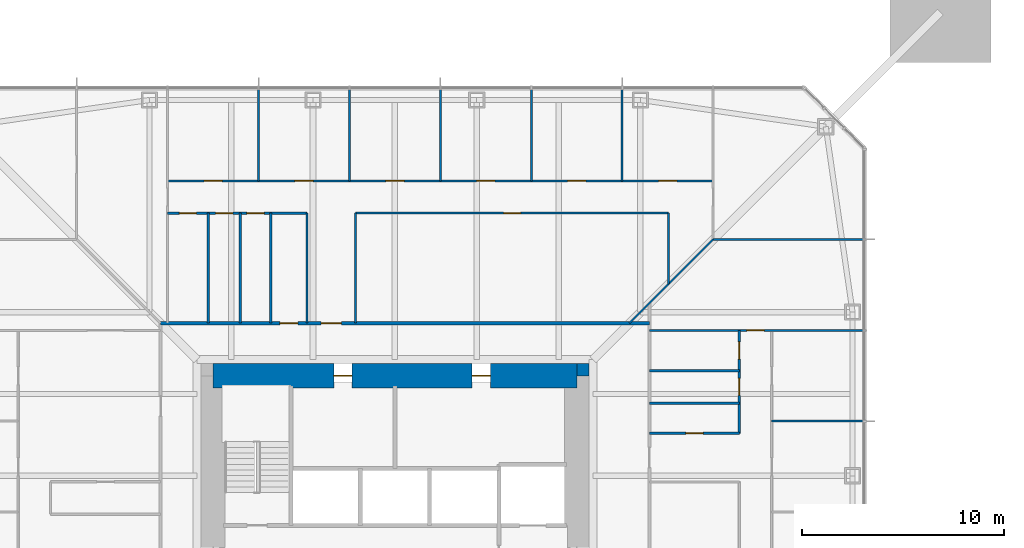
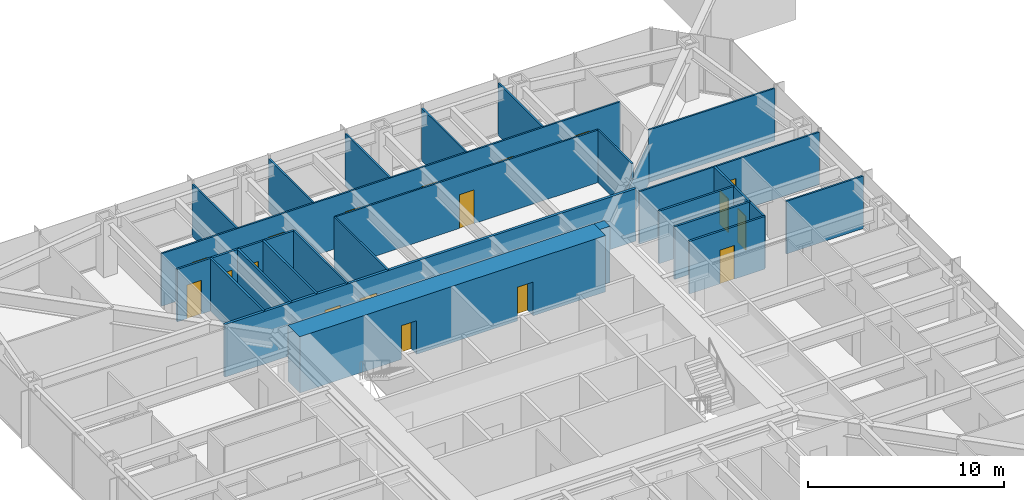
# One storey, part 17 of 26: 25 walls, 18 doors, 18 openings.
"""IFC4 building model written with IfcOpenShell, lengths in metres."""

from ifc_helpers import new_model, si_unit, direction, frame, frame_2d, origin, place, context, subcontext, project, spatial, rectangle, extrude, material, layer, layer_set, type_object, element, fill, save


model = new_model("IFC4")

# Units and contexts
model_context = context("Model", 3, precision=1e-05, world=origin(), true_north=direction((0.0, 1.0)))
body_context = subcontext(model_context, "Body", "Model", "MODEL_VIEW")
ifc_project = project(units=[si_unit("LENGTHUNIT", "METRE"), si_unit("AREAUNIT", "SQUARE_METRE"), si_unit("VOLUMEUNIT", "CUBIC_METRE"), si_unit("PLANEANGLEUNIT", "RADIAN"), si_unit("MASSUNIT", "GRAM", prefix="KILO")], contexts=[model_context])

# Site, building, storey
site_placement = place(None, origin())
site = spatial("IfcSite", under=ifc_project, at=site_placement, CompositionType="ELEMENT")
building_placement = place(site_placement, origin())
building = spatial("IfcBuilding", under=site, at=building_placement, Name="Iwan Alto Co-Living Towers", CompositionType="ELEMENT")
storey_placement = place(building_placement, frame((0.0, 0.0, 67.5)))
storey = spatial("IfcBuildingStorey", under=building, at=storey_placement, Name="L18", CompositionType="ELEMENT", Elevation=67.5)

# Wall, openings, doors
ifc_material_1 = material(Name="Gypsum board")
ifc_layer_1 = layer(ifc_material_1, 0.02490234375, Name="Board", Category="Finish")
ifc_material_2 = material(Name="Steel ASTM A1003 ST33H cold-formed studs", Category="steel")
ifc_layer_2 = layer(ifc_material_2, 0.10009765625, Name="Studs", Category="Framing")
ifc_layer_3 = layer(ifc_material_1, 0.02490234375, Name="Board", Category="Finish")
ifc_layer_set_1 = layer_set([ifc_layer_1, ifc_layer_2, ifc_layer_3], Name="CORRIDOR WALL 150")
wall_type_1 = type_object("IfcWallType", Name="CORRIDOR WALL 150", PredefinedType="PARTITIONING", material=ifc_layer_set_1)
wall_1_placement = place(storey_placement, frame((-11.60009765625, 11.60009765625, 0.0), z_axis=(0.0, 0.0, 1.0), x_axis=(1.0, 0.0, 0.0)))
wall_1 = element("IfcWall", 1, at=wall_1_placement, inside=storey, type_object=wall_type_1, Name="Partition L18", PredefinedType="PARTITIONING", context=body_context, shape_type="SweptSolid", body=[
    extrude(rectangle(XDim=24.2001953125, YDim=0.14990234375, at=frame_2d((12.10009765625, 0.0))), origin(), (0.0, 0.0, 1.0), 3.27001953125),
])
opening_1_placement = place(wall_1_placement, frame((7.949951171875, 0.0, 0.0)))
opening_1 = element("IfcOpeningElement", 2, at=opening_1_placement, cuts=wall_1, Name="Opening D3", PredefinedType="OPENING", context=body_context, shape_type="SweptSolid", body=[
    extrude(rectangle(XDim=1.0, YDim=2.10009765625, at=frame_2d((0.5, 1.050048828125))), frame((0.0, 0.0849609375, 0.0), z_axis=(0.0, -1.0, 0.0), x_axis=(1.0, 0.0, 0.0)), (0.0, 0.0, 1.0), 0.169921875),
])
opening_2_placement = place(wall_1_placement, frame((5.89990234375, 0.0, 0.0)))
opening_2 = element("IfcOpeningElement", 3, at=opening_2_placement, cuts=wall_1, Name="Opening D8", PredefinedType="OPENING", context=body_context, shape_type="SweptSolid", body=[
    extrude(rectangle(XDim=0.89990234375, YDim=2.10009765625, at=frame_2d((0.449951171875, 1.050048828125))), frame((0.0, 0.0849609375, 0.0), z_axis=(0.0, -1.0, 0.0), x_axis=(1.0, 0.0, 0.0)), (0.0, 0.0, 1.0), 0.169921875),
])
ifc_material_3 = material(Name="Steel frame with timber leaf", Category="steel")
door_type_1 = type_object("IfcDoorType", Name="FLAT ENTRANCE DOOR FD30S 1000X2100", OperationType="SINGLE_SWING_LEFT", PredefinedType="DOOR", material=ifc_material_3)
door_1_placement = place(opening_1_placement, origin())
door_1 = element("IfcDoor", 4, at=door_1_placement, inside=storey, type_object=door_type_1, Name="Cluster lounge and shared kitchen door L18", OperationType="SINGLE_SWING_LEFT", OverallHeight=2.10009765625, OverallWidth=1.0, PredefinedType="DOOR", context=body_context, shape_type="SweptSolid", body=[
    extrude(rectangle(XDim=1.0, YDim=2.10009765625, at=frame_2d((0.5, 1.050048828125))), frame((0.0, 0.02490234375, 0.0), z_axis=(0.0, -1.0, 0.0), x_axis=(1.0, 0.0, 0.0)), (0.0, 0.0, 1.0), 0.050048828125),
])
fill(opening_1, door_1)
ifc_material_4 = material(Name="Steel frame with timber leaf", Category="steel")
door_type_2 = type_object("IfcDoorType", Name="RISER DOOR FD120 900X2100", OperationType="SINGLE_SWING_LEFT", PredefinedType="DOOR", material=ifc_material_4)
door_2_placement = place(opening_2_placement, origin())
door_2 = element("IfcDoor", 5, at=door_2_placement, inside=storey, type_object=door_type_2, Name="Vending room door L18", OperationType="SINGLE_SWING_LEFT", OverallHeight=2.10009765625, OverallWidth=0.89990234375, PredefinedType="DOOR", context=body_context, shape_type="SweptSolid", body=[
    extrude(rectangle(XDim=0.89990234375, YDim=2.10009765625, at=frame_2d((0.449951171875, 1.050048828125))), frame((0.0, 0.02490234375, 0.0), z_axis=(0.0, -1.0, 0.0), x_axis=(1.0, 0.0, 0.0)), (0.0, 0.0, 1.0), 0.050048828125),
])
fill(opening_2, door_2)

# Wall
ifc_layer_4 = layer(ifc_material_1, 0.012451171875, Name="Board", Category="Finish")
ifc_layer_5 = layer(ifc_material_2, 0.074951171875, Name="Studs", Category="Framing")
ifc_layer_6 = layer(ifc_material_1, 0.012451171875, Name="Board", Category="Finish")
ifc_layer_set_2 = layer_set([ifc_layer_4, ifc_layer_5, ifc_layer_6], Name="PARTITION 100")
wall_type_2 = type_object("IfcWallType", Name="PARTITION 100", PredefinedType="PARTITIONING", material=ifc_layer_set_2)
wall_2_placement = place(storey_placement, frame((18.64990234375, 6.75, 0.0), z_axis=(0.0, 0.0, 1.0), x_axis=(1.0, 0.0, 0.0)))
element("IfcWall", 6, at=wall_2_placement, inside=storey, type_object=wall_type_2, Name="Partition L18", PredefinedType="PARTITIONING", context=body_context, shape_type="SweptSolid", body=[
    extrude(rectangle(XDim=4.5400390625, YDim=0.10009765625, at=frame_2d((2.27001953125, 0.0))), origin(), (0.0, 0.0, 1.0), 3.27001953125),
])

# Wall, opening, door
wall_3_placement = place(storey_placement, frame((12.60009765625, 11.25, 0.0), z_axis=(0.0, 0.0, 1.0), x_axis=(1.0, 0.0, 0.0)))
wall_3 = element("IfcWall", 7, at=wall_3_placement, inside=storey, type_object=wall_type_2, Name="Partition L18", PredefinedType="PARTITIONING", context=body_context, shape_type="SweptSolid", body=[
    extrude(rectangle(XDim=10.58984375, YDim=0.10009765625, at=frame_2d((5.294921875, 0.0))), origin(), (0.0, 0.0, 1.0), 3.27001953125),
])
opening_3_placement = place(wall_3_placement, frame((4.824951171875, 0.0, 0.0)))
opening_3 = element("IfcOpeningElement", 8, at=opening_3_placement, cuts=wall_3, Name="Opening D2", PredefinedType="OPENING", context=body_context, shape_type="SweptSolid", body=[
    extrude(rectangle(XDim=0.85009765625, YDim=2.10009765625, at=frame_2d((0.425048828125, 1.050048828125))), frame((0.0, 0.06005859375, 0.0), z_axis=(0.0, -1.0, 0.0), x_axis=(1.0, 0.0, 0.0)), (0.0, 0.0, 1.0), 0.1201171875),
])
ifc_material_5 = material(Name="Timber leaf in steel frame", Category="steel")
door_type_3 = type_object("IfcDoorType", Name="ROOM DOOR 850X2100", OperationType="SINGLE_SWING_LEFT", PredefinedType="DOOR", material=ifc_material_5)
door_3_placement = place(opening_3_placement, frame((0.85009765625, 0.0, 0.0), z_axis=(0.0, 0.0, 1.0), x_axis=(-1.0, 0.0, 0.0)))
door_3 = element("IfcDoor", 9, at=door_3_placement, inside=storey, type_object=door_type_3, Name="Reading room door L18", OperationType="SINGLE_SWING_RIGHT", OverallHeight=2.10009765625, OverallWidth=0.85009765625, PredefinedType="DOOR", context=body_context, shape_type="SweptSolid", body=[
    extrude(rectangle(XDim=0.85009765625, YDim=2.10009765625, at=frame_2d((0.425048828125, 1.050048828125))), frame((0.0, 0.02490234375, 0.0), z_axis=(0.0, -1.0, 0.0), x_axis=(1.0, 0.0, 0.0)), (0.0, 0.0, 1.0), 0.050048828125),
])
fill(opening_3, door_3)

# Wall
wall_4_placement = place(storey_placement, frame((15.75, 15.75, 0.0), z_axis=(0.0, 0.0, 1.0), x_axis=(1.0, 0.0, 0.0)))
element("IfcWall", 10, at=wall_4_placement, inside=storey, type_object=wall_type_2, Name="Partition L18", PredefinedType="PARTITIONING", context=body_context, shape_type="SweptSolid", body=[
    extrude(rectangle(XDim=7.43994140625, YDim=0.10009765625, at=frame_2d((3.719970703125, 0.0))), origin(), (0.0, 0.0, 1.0), 3.27001953125),
])

# Wall, opening, door
wall_5_placement = place(storey_placement, frame((-1.949951171875, 17.050048828125, 0.0), z_axis=(0.0, 0.0, 1.0), x_axis=(1.0, 0.0, 0.0)))
wall_5 = element("IfcWall", 11, at=wall_5_placement, inside=storey, type_object=wall_type_2, Name="Partition L18", PredefinedType="PARTITIONING", context=body_context, shape_type="SweptSolid", body=[
    extrude(rectangle(XDim=15.5, YDim=0.10009765625, at=frame_2d((7.75, 0.0))), origin(), (0.0, 0.0, 1.0), 3.27001953125),
])
opening_4_placement = place(wall_5_placement, frame((7.324951171875, 0.0, 0.0)))
opening_4 = element("IfcOpeningElement", 12, at=opening_4_placement, cuts=wall_5, Name="Opening D2", PredefinedType="OPENING", context=body_context, shape_type="SweptSolid", body=[
    extrude(rectangle(XDim=0.85009765625, YDim=2.10009765625, at=frame_2d((0.425048828125, 1.050048828125))), frame((0.0, 0.06005859375, 0.0), z_axis=(0.0, -1.0, 0.0), x_axis=(1.0, 0.0, 0.0)), (0.0, 0.0, 1.0), 0.1201171875),
])
door_4_placement = place(opening_4_placement, frame((0.85009765625, 0.0, 0.0), z_axis=(0.0, 0.0, 1.0), x_axis=(-1.0, 0.0, 0.0)))
door_4 = element("IfcDoor", 13, at=door_4_placement, inside=storey, type_object=door_type_3, Name="Study lounge door L18", OperationType="SINGLE_SWING_RIGHT", OverallHeight=2.10009765625, OverallWidth=0.85009765625, PredefinedType="DOOR", context=body_context, shape_type="SweptSolid", body=[
    extrude(rectangle(XDim=0.85009765625, YDim=2.10009765625, at=frame_2d((0.425048828125, 1.050048828125))), frame((0.0, 0.02490234375, 0.0), z_axis=(0.0, -1.0, 0.0), x_axis=(1.0, 0.0, 0.0)), (0.0, 0.0, 1.0), 0.050048828125),
])
fill(opening_4, door_4)

# Wall, openings, doors
wall_6_placement = place(storey_placement, frame((-11.25, 18.64990234375, 0.0), z_axis=(0.0, 0.0, 1.0), x_axis=(1.0, 0.0, 0.0)))
wall_6 = element("IfcWall", 14, at=wall_6_placement, inside=storey, type_object=wall_type_2, Name="Partition L18", PredefinedType="PARTITIONING", context=body_context, shape_type="SweptSolid", body=[
    extrude(rectangle(XDim=27.0, YDim=0.10009765625, at=frame_2d((13.5, 0.0))), origin(), (0.0, 0.0, 1.0), 3.27001953125),
])
opening_5_placement = place(wall_6_placement, frame((24.300048828125, 0.0, 0.0)))
opening_5 = element("IfcOpeningElement", 15, at=opening_5_placement, cuts=wall_6, Name="Opening D1", PredefinedType="OPENING", context=body_context, shape_type="SweptSolid", body=[
    extrude(rectangle(XDim=0.89990234375, YDim=2.10009765625, at=frame_2d((0.449951171875, 1.050048828125))), frame((0.0, 0.06005859375, 0.0), z_axis=(0.0, -1.0, 0.0), x_axis=(1.0, 0.0, 0.0)), (0.0, 0.0, 1.0), 0.1201171875),
])
opening_6_placement = place(wall_6_placement, frame((19.800048828125, 0.0, 0.0)))
opening_6 = element("IfcOpeningElement", 16, at=opening_6_placement, cuts=wall_6, Name="Opening D1", PredefinedType="OPENING", context=body_context, shape_type="SweptSolid", body=[
    extrude(rectangle(XDim=0.89990234375, YDim=2.10009765625, at=frame_2d((0.449951171875, 1.050048828125))), frame((0.0, 0.06005859375, 0.0), z_axis=(0.0, -1.0, 0.0), x_axis=(1.0, 0.0, 0.0)), (0.0, 0.0, 1.0), 0.1201171875),
])
opening_7_placement = place(wall_6_placement, frame((15.300048828125, 0.0, 0.0)))
opening_7 = element("IfcOpeningElement", 17, at=opening_7_placement, cuts=wall_6, Name="Opening D1", PredefinedType="OPENING", context=body_context, shape_type="SweptSolid", body=[
    extrude(rectangle(XDim=0.89990234375, YDim=2.10009765625, at=frame_2d((0.449951171875, 1.050048828125))), frame((0.0, 0.06005859375, 0.0), z_axis=(0.0, -1.0, 0.0), x_axis=(1.0, 0.0, 0.0)), (0.0, 0.0, 1.0), 0.1201171875),
])
opening_8_placement = place(wall_6_placement, frame((10.800048828125, 0.0, 0.0)))
opening_8 = element("IfcOpeningElement", 18, at=opening_8_placement, cuts=wall_6, Name="Opening D1", PredefinedType="OPENING", context=body_context, shape_type="SweptSolid", body=[
    extrude(rectangle(XDim=0.89990234375, YDim=2.10009765625, at=frame_2d((0.449951171875, 1.050048828125))), frame((0.0, 0.06005859375, 0.0), z_axis=(0.0, -1.0, 0.0), x_axis=(1.0, 0.0, 0.0)), (0.0, 0.0, 1.0), 0.1201171875),
])
opening_9_placement = place(wall_6_placement, frame((6.300048828125, 0.0, 0.0)))
opening_9 = element("IfcOpeningElement", 19, at=opening_9_placement, cuts=wall_6, Name="Opening D1", PredefinedType="OPENING", context=body_context, shape_type="SweptSolid", body=[
    extrude(rectangle(XDim=0.89990234375, YDim=2.10009765625, at=frame_2d((0.449951171875, 1.050048828125))), frame((0.0, 0.06005859375, 0.0), z_axis=(0.0, -1.0, 0.0), x_axis=(1.0, 0.0, 0.0)), (0.0, 0.0, 1.0), 0.1201171875),
])
opening_10_placement = place(wall_6_placement, frame((1.800048828125, 0.0, 0.0)))
opening_10 = element("IfcOpeningElement", 20, at=opening_10_placement, cuts=wall_6, Name="Opening D1", PredefinedType="OPENING", context=body_context, shape_type="SweptSolid", body=[
    extrude(rectangle(XDim=0.89990234375, YDim=2.10009765625, at=frame_2d((0.449951171875, 1.050048828125))), frame((0.0, 0.06005859375, 0.0), z_axis=(0.0, -1.0, 0.0), x_axis=(1.0, 0.0, 0.0)), (0.0, 0.0, 1.0), 0.1201171875),
])
ifc_material_6 = material(Name="Timber leaf in steel frame", Category="steel")
door_type_4 = type_object("IfcDoorType", Name="BEDROOM DOOR 900X2100", OperationType="SINGLE_SWING_LEFT", PredefinedType="DOOR", material=ifc_material_6)
door_5_placement = place(opening_5_placement, frame((0.89990234375, 0.0, 0.0), z_axis=(0.0, 0.0, 1.0), x_axis=(-1.0, 0.0, 0.0)))
door_5 = element("IfcDoor", 21, at=door_5_placement, inside=storey, type_object=door_type_4, Name="Study bedroom door L18", OperationType="SINGLE_SWING_LEFT", OverallHeight=2.10009765625, OverallWidth=0.89990234375, PredefinedType="DOOR", context=body_context, shape_type="SweptSolid", body=[
    extrude(rectangle(XDim=0.89990234375, YDim=2.10009765625, at=frame_2d((0.449951171875, 1.050048828125))), frame((0.0, 0.02490234375, 0.0), z_axis=(0.0, -1.0, 0.0), x_axis=(1.0, 0.0, 0.0)), (0.0, 0.0, 1.0), 0.050048828125),
])
fill(opening_5, door_5)
door_6_placement = place(opening_6_placement, frame((0.89990234375, 0.0, 0.0), z_axis=(0.0, 0.0, 1.0), x_axis=(-1.0, 0.0, 0.0)))
door_6 = element("IfcDoor", 22, at=door_6_placement, inside=storey, type_object=door_type_4, Name="Study bedroom door L18", OperationType="SINGLE_SWING_LEFT", OverallHeight=2.10009765625, OverallWidth=0.89990234375, PredefinedType="DOOR", context=body_context, shape_type="SweptSolid", body=[
    extrude(rectangle(XDim=0.89990234375, YDim=2.10009765625, at=frame_2d((0.449951171875, 1.050048828125))), frame((0.0, 0.02490234375, 0.0), z_axis=(0.0, -1.0, 0.0), x_axis=(1.0, 0.0, 0.0)), (0.0, 0.0, 1.0), 0.050048828125),
])
fill(opening_6, door_6)
door_7_placement = place(opening_7_placement, frame((0.89990234375, 0.0, 0.0), z_axis=(0.0, 0.0, 1.0), x_axis=(-1.0, 0.0, 0.0)))
door_7 = element("IfcDoor", 23, at=door_7_placement, inside=storey, type_object=door_type_4, Name="Study bedroom door L18", OperationType="SINGLE_SWING_LEFT", OverallHeight=2.10009765625, OverallWidth=0.89990234375, PredefinedType="DOOR", context=body_context, shape_type="SweptSolid", body=[
    extrude(rectangle(XDim=0.89990234375, YDim=2.10009765625, at=frame_2d((0.449951171875, 1.050048828125))), frame((0.0, 0.02490234375, 0.0), z_axis=(0.0, -1.0, 0.0), x_axis=(1.0, 0.0, 0.0)), (0.0, 0.0, 1.0), 0.050048828125),
])
fill(opening_7, door_7)
door_8_placement = place(opening_8_placement, frame((0.89990234375, 0.0, 0.0), z_axis=(0.0, 0.0, 1.0), x_axis=(-1.0, 0.0, 0.0)))
door_8 = element("IfcDoor", 24, at=door_8_placement, inside=storey, type_object=door_type_4, Name="Study bedroom door L18", OperationType="SINGLE_SWING_RIGHT", OverallHeight=2.10009765625, OverallWidth=0.89990234375, PredefinedType="DOOR", context=body_context, shape_type="SweptSolid", body=[
    extrude(rectangle(XDim=0.89990234375, YDim=2.10009765625, at=frame_2d((0.449951171875, 1.050048828125))), frame((0.0, 0.02490234375, 0.0), z_axis=(0.0, -1.0, 0.0), x_axis=(1.0, 0.0, 0.0)), (0.0, 0.0, 1.0), 0.050048828125),
])
fill(opening_8, door_8)
door_9_placement = place(opening_9_placement, frame((0.89990234375, 0.0, 0.0), z_axis=(0.0, 0.0, 1.0), x_axis=(-1.0, 0.0, 0.0)))
door_9 = element("IfcDoor", 25, at=door_9_placement, inside=storey, type_object=door_type_4, Name="Study bedroom door L18", OperationType="SINGLE_SWING_RIGHT", OverallHeight=2.10009765625, OverallWidth=0.89990234375, PredefinedType="DOOR", context=body_context, shape_type="SweptSolid", body=[
    extrude(rectangle(XDim=0.89990234375, YDim=2.10009765625, at=frame_2d((0.449951171875, 1.050048828125))), frame((0.0, 0.02490234375, 0.0), z_axis=(0.0, -1.0, 0.0), x_axis=(1.0, 0.0, 0.0)), (0.0, 0.0, 1.0), 0.050048828125),
])
fill(opening_9, door_9)
door_10_placement = place(opening_10_placement, frame((0.89990234375, 0.0, 0.0), z_axis=(0.0, 0.0, 1.0), x_axis=(-1.0, 0.0, 0.0)))
door_10 = element("IfcDoor", 26, at=door_10_placement, inside=storey, type_object=door_type_4, Name="Study bedroom door L18", OperationType="SINGLE_SWING_RIGHT", OverallHeight=2.10009765625, OverallWidth=0.89990234375, PredefinedType="DOOR", context=body_context, shape_type="SweptSolid", body=[
    extrude(rectangle(XDim=0.89990234375, YDim=2.10009765625, at=frame_2d((0.449951171875, 1.050048828125))), frame((0.0, 0.02490234375, 0.0), z_axis=(0.0, -1.0, 0.0), x_axis=(1.0, 0.0, 0.0)), (0.0, 0.0, 1.0), 0.050048828125),
])
fill(opening_10, door_10)

# Walls
wall_7_placement = place(storey_placement, frame((11.60009765625, 11.60009765625, 0.0), z_axis=(0.0, 0.0, 1.0), x_axis=(0.707106781187, 0.707106781187, 0.0)))
element("IfcWall", 27, at=wall_7_placement, inside=storey, type_object=wall_type_2, Name="Partition L18", PredefinedType="PARTITIONING", context=body_context, shape_type="SweptSolid", body=[
    extrude(rectangle(XDim=5.868896484375, YDim=0.10009765625, at=frame_2d((2.9345703125, 0.0))), origin(), (0.0, 0.0, 1.0), 2.343017578125),
])
wall_8_placement = place(storey_placement, frame((13.550048828125, 13.550048828125, 0.0), z_axis=(0.0, 0.0, 1.0), x_axis=(0.0, 1.0, 0.0)))
element("IfcWall", 28, at=wall_8_placement, inside=storey, type_object=wall_type_2, Name="Partition L18", PredefinedType="PARTITIONING", context=body_context, shape_type="SweptSolid", body=[
    extrude(rectangle(XDim=3.5, YDim=0.10009765625, at=frame_2d((1.75, 0.0))), origin(), (0.0, 0.0, 1.0), 3.27001953125),
])
for number, where, z_axis, x_axis, name in (
    (29, (11.25, 18.64990234375, 0.0), (0.0, 0.0, 1.0), (0.0, 1.0, 0.0), "Partition L18"),
    (30, (6.75, 18.64990234375, 0.0), (0.0, 0.0, 1.0), (0.0, 1.0, 0.0), "Partition L18"),
    (31, (2.25, 18.64990234375, 0.0), (0.0, 0.0, 1.0), (0.0, 1.0, 0.0), "Partition L18"),
):
    element("IfcWall", number, at=place(storey_placement, frame(where, z_axis=z_axis, x_axis=x_axis)), inside=storey, type_object=wall_type_2, Name=name, PredefinedType="PARTITIONING", context=body_context, shape_type="SweptSolid", body=[
        extrude(rectangle(XDim=4.5400390625, YDim=0.10009765625, at=frame_2d((2.27001953125, 0.0))), origin(), (0.0, 0.0, 1.0), 3.27001953125),
    ])
wall_9_placement = place(storey_placement, frame((-1.949951171875, 11.60009765625, 0.0), z_axis=(0.0, 0.0, 1.0), x_axis=(0.0, 1.0, 0.0)))
element("IfcWall", 32, at=wall_9_placement, inside=storey, type_object=wall_type_2, Name="Partition L18", PredefinedType="PARTITIONING", context=body_context, shape_type="SweptSolid", body=[
    extrude(rectangle(XDim=5.449951171875, YDim=0.10009765625, at=frame_2d((2.72509765625, 0.0))), origin(), (0.0, 0.0, 1.0), 3.27001953125),
])
wall_10_placement = place(storey_placement, frame((-2.25, 18.64990234375, 0.0), z_axis=(0.0, 0.0, 1.0), x_axis=(0.0, 1.0, 0.0)))
element("IfcWall", 33, at=wall_10_placement, inside=storey, type_object=wall_type_2, Name="Partition L18", PredefinedType="PARTITIONING", context=body_context, shape_type="SweptSolid", body=[
    extrude(rectangle(XDim=4.5400390625, YDim=0.10009765625, at=frame_2d((2.27001953125, 0.0))), origin(), (0.0, 0.0, 1.0), 3.27001953125),
])
wall_11_placement = place(storey_placement, frame((-4.35009765625, 11.60009765625, 0.0), z_axis=(0.0, 0.0, 1.0), x_axis=(0.0, 1.0, 0.0)))
element("IfcWall", 34, at=wall_11_placement, inside=storey, type_object=wall_type_2, Name="Partition L18", PredefinedType="PARTITIONING", context=body_context, shape_type="SweptSolid", body=[
    extrude(rectangle(XDim=5.449951171875, YDim=0.10009765625, at=frame_2d((2.72509765625, 0.0))), origin(), (0.0, 0.0, 1.0), 3.27001953125),
])
wall_12_placement = place(storey_placement, frame((-6.75, 18.64990234375, 0.0), z_axis=(0.0, 0.0, 1.0), x_axis=(0.0, 1.0, 0.0)))
element("IfcWall", 35, at=wall_12_placement, inside=storey, type_object=wall_type_2, Name="Partition L18", PredefinedType="PARTITIONING", context=body_context, shape_type="SweptSolid", body=[
    extrude(rectangle(XDim=4.5400390625, YDim=0.10009765625, at=frame_2d((2.27001953125, 0.0))), origin(), (0.0, 0.0, 1.0), 3.27001953125),
])
ifc_material_7 = material(Name="Concrete f'c 70 MPa", Category="concrete")
ifc_layer_7 = layer(ifc_material_7, 0.60009765625)
ifc_layer_set_3 = layer_set([ifc_layer_7], Name="T1 CORE CORNER FILL 600")
wall_type_3 = type_object("IfcWallType", Name="T1 CORE CORNER FILL 600", PredefinedType="SOLIDWALL", material=ifc_layer_set_3)
wall_13_placement = place(storey_placement, frame((9.0, 9.300048828125, 0.0), z_axis=(0.0, 0.0, 1.0), x_axis=(1.0, 0.0, 0.0)))
element("IfcWall", 36, at=wall_13_placement, inside=storey, type_object=wall_type_3, Name="T1 core corner NE L18", PredefinedType="SOLIDWALL", context=body_context, shape_type="SweptSolid", body=[
    extrude(rectangle(XDim=0.60009765625, YDim=0.60009765625, at=frame_2d((0.300048828125, 0.0))), origin(), (0.0, 0.0, 1.0), 3.5),
])

# Wall, openings, doors
ifc_material_8 = material(Name="Concrete f'c 70 MPa", Category="concrete")
ifc_layer_8 = layer(ifc_material_8, 1.199951171875)
ifc_layer_set_4 = layer_set([ifc_layer_8], Name="T1 CORE WALL 1200")
wall_type_4 = type_object("IfcWallType", Name="T1 CORE WALL 1200", PredefinedType="SHEAR", material=ifc_layer_set_4)
wall_14_placement = place(storey_placement, frame((9.0, 9.0, 0.0), z_axis=(0.0, 0.0, 1.0), x_axis=(-1.0, 0.0, 0.0)))
wall_14 = element("IfcWall", 37, at=wall_14_placement, inside=storey, type_object=wall_type_4, Name="T1 core wall N L18", PredefinedType="SHEAR", context=body_context, shape_type="SweptSolid", body=[
    extrude(rectangle(XDim=18.0, YDim=1.199951171875, at=frame_2d((9.0, 0.0))), origin(), (0.0, 0.0, 1.0), 3.5),
])
opening_11_placement = place(wall_14_placement, frame((11.125, 0.0, 0.0)))
opening_11 = element("IfcOpeningElement", 38, at=opening_11_placement, cuts=wall_14, Name="Opening D8", PredefinedType="OPENING", context=body_context, shape_type="SweptSolid", body=[
    extrude(rectangle(XDim=0.89990234375, YDim=2.10009765625, at=frame_2d((0.449951171875, 1.050048828125))), frame((0.0, 0.60986328125, 0.0), z_axis=(0.0, -1.0, 0.0), x_axis=(1.0, 0.0, 0.0)), (0.0, 0.0, 1.0), 1.219970703125),
])
opening_12_placement = place(wall_14_placement, frame((4.27490234375, 0.0, 0.0)))
opening_12 = element("IfcOpeningElement", 39, at=opening_12_placement, cuts=wall_14, Name="Opening D8", PredefinedType="OPENING", context=body_context, shape_type="SweptSolid", body=[
    extrude(rectangle(XDim=0.89990234375, YDim=2.10009765625, at=frame_2d((0.449951171875, 1.050048828125))), frame((0.0, 0.60986328125, 0.0), z_axis=(0.0, -1.0, 0.0), x_axis=(1.0, 0.0, 0.0)), (0.0, 0.0, 1.0), 1.219970703125),
])
door_11_placement = place(opening_11_placement, origin())
door_11 = element("IfcDoor", 40, at=door_11_placement, inside=storey, type_object=door_type_2, Name="Electrical riser core door L18", OperationType="SINGLE_SWING_RIGHT", OverallHeight=2.10009765625, OverallWidth=0.89990234375, PredefinedType="DOOR", context=body_context, shape_type="SweptSolid", body=[
    extrude(rectangle(XDim=0.89990234375, YDim=2.10009765625, at=frame_2d((0.449951171875, 1.050048828125))), frame((0.0, 0.02490234375, 0.0), z_axis=(0.0, -1.0, 0.0), x_axis=(1.0, 0.0, 0.0)), (0.0, 0.0, 1.0), 0.050048828125),
])
fill(opening_11, door_11)
door_12_placement = place(opening_12_placement, origin())
door_12 = element("IfcDoor", 41, at=door_12_placement, inside=storey, type_object=door_type_2, Name="Water and drainage riser core door L18", OperationType="SINGLE_SWING_RIGHT", OverallHeight=2.10009765625, OverallWidth=0.89990234375, PredefinedType="DOOR", context=body_context, shape_type="SweptSolid", body=[
    extrude(rectangle(XDim=0.89990234375, YDim=2.10009765625, at=frame_2d((0.449951171875, 1.050048828125))), frame((0.0, 0.02490234375, 0.0), z_axis=(0.0, -1.0, 0.0), x_axis=(1.0, 0.0, 0.0)), (0.0, 0.0, 1.0), 0.050048828125),
])
fill(opening_12, door_12)

# Wall, opening, door
ifc_material_9 = material(Name="Cement board")
ifc_layer_9 = layer(ifc_material_9, 0.012451171875, Name="Board", Category="Finish")
ifc_layer_10 = layer(ifc_material_2, 0.094970703125, Name="Studs", Category="Framing")
ifc_layer_11 = layer(ifc_material_9, 0.012451171875, Name="Board", Category="Finish")
ifc_layer_set_5 = layer_set([ifc_layer_9, ifc_layer_10, ifc_layer_11], Name="WET AREA PARTITION 120")
wall_type_5 = type_object("IfcWallType", Name="WET AREA PARTITION 120", PredefinedType="PARTITIONING", material=ifc_layer_set_5)
wall_15_placement = place(storey_placement, frame((12.60009765625, 6.14990234375, 0.0), z_axis=(0.0, 0.0, 1.0), x_axis=(1.0, 0.0, 0.0)))
wall_15 = element("IfcWall", 42, at=wall_15_placement, inside=storey, type_object=wall_type_5, Name="Partition L18", PredefinedType="PARTITIONING", context=body_context, shape_type="SweptSolid", body=[
    extrude(rectangle(XDim=4.449951171875, YDim=0.1201171875, at=frame_2d((2.22509765625, 0.0))), origin(), (0.0, 0.0, 1.0), 3.27001953125),
])
opening_13_placement = place(wall_15_placement, frame((1.800048828125, 0.0, 0.0)))
opening_13 = element("IfcOpeningElement", 43, at=opening_13_placement, cuts=wall_15, Name="Opening D2", PredefinedType="OPENING", context=body_context, shape_type="SweptSolid", body=[
    extrude(rectangle(XDim=0.85009765625, YDim=2.10009765625, at=frame_2d((0.425048828125, 1.050048828125))), frame((0.0, 0.070068359375, 0.0), z_axis=(0.0, -1.0, 0.0), x_axis=(1.0, 0.0, 0.0)), (0.0, 0.0, 1.0), 0.14013671875),
])
door_13_placement = place(opening_13_placement, frame((0.85009765625, 0.0, 0.0), z_axis=(0.0, 0.0, 1.0), x_axis=(-1.0, 0.0, 0.0)))
door_13 = element("IfcDoor", 44, at=door_13_placement, inside=storey, type_object=door_type_3, Name="Bathroom door L18", OperationType="SINGLE_SWING_RIGHT", OverallHeight=2.10009765625, OverallWidth=0.85009765625, PredefinedType="DOOR", context=body_context, shape_type="SweptSolid", body=[
    extrude(rectangle(XDim=0.85009765625, YDim=2.10009765625, at=frame_2d((0.425048828125, 1.050048828125))), frame((0.0, 0.02490234375, 0.0), z_axis=(0.0, -1.0, 0.0), x_axis=(1.0, 0.0, 0.0)), (0.0, 0.0, 1.0), 0.050048828125),
])
fill(opening_13, door_13)

# Walls
for number, where, z_axis, x_axis, name in (
    (45, (12.60009765625, 7.64990234375, 0.0), (0.0, 0.0, 1.0), (1.0, 0.0, 0.0), "Partition L18"),
    (46, (12.60009765625, 9.25, 0.0), (0.0, 0.0, 1.0), (1.0, 0.0, 0.0), "Partition L18"),
):
    element("IfcWall", number, at=place(storey_placement, frame(where, z_axis=z_axis, x_axis=x_axis)), inside=storey, type_object=wall_type_5, Name=name, PredefinedType="PARTITIONING", context=body_context, shape_type="SweptSolid", body=[
        extrude(rectangle(XDim=4.449951171875, YDim=0.1201171875, at=frame_2d((2.22509765625, 0.0))), origin(), (0.0, 0.0, 1.0), 3.27001953125),
    ])

# Wall, openings, doors
wall_16_placement = place(storey_placement, frame((-11.25, 17.050048828125, 0.0), z_axis=(0.0, 0.0, 1.0), x_axis=(1.0, 0.0, 0.0)))
wall_16 = element("IfcWall", 47, at=wall_16_placement, inside=storey, type_object=wall_type_5, Name="Partition L18", PredefinedType="PARTITIONING", context=body_context, shape_type="SweptSolid", body=[
    extrude(rectangle(XDim=6.89990234375, YDim=0.1201171875, at=frame_2d((3.449951171875, 0.0))), origin(), (0.0, 0.0, 1.0), 3.27001953125),
])
opening_14_placement = place(wall_16_placement, frame((3.925048828125, 0.0, 0.0)))
opening_14 = element("IfcOpeningElement", 48, at=opening_14_placement, cuts=wall_16, Name="Opening D2", PredefinedType="OPENING", context=body_context, shape_type="SweptSolid", body=[
    extrude(rectangle(XDim=0.85009765625, YDim=2.10009765625, at=frame_2d((0.425048828125, 1.050048828125))), frame((0.0, 0.070068359375, 0.0), z_axis=(0.0, -1.0, 0.0), x_axis=(1.0, 0.0, 0.0)), (0.0, 0.0, 1.0), 0.14013671875),
])
opening_15_placement = place(wall_16_placement, frame((2.375, 0.0, 0.0)))
opening_15 = element("IfcOpeningElement", 49, at=opening_15_placement, cuts=wall_16, Name="Opening D2", PredefinedType="OPENING", context=body_context, shape_type="SweptSolid", body=[
    extrude(rectangle(XDim=0.85009765625, YDim=2.10009765625, at=frame_2d((0.425048828125, 1.050048828125))), frame((0.0, 0.070068359375, 0.0), z_axis=(0.0, -1.0, 0.0), x_axis=(1.0, 0.0, 0.0)), (0.0, 0.0, 1.0), 0.14013671875),
])
opening_16_placement = place(wall_16_placement, frame((0.574951171875, 0.0, 0.0)))
opening_16 = element("IfcOpeningElement", 50, at=opening_16_placement, cuts=wall_16, Name="Opening D2", PredefinedType="OPENING", context=body_context, shape_type="SweptSolid", body=[
    extrude(rectangle(XDim=0.85009765625, YDim=2.10009765625, at=frame_2d((0.425048828125, 1.050048828125))), frame((0.0, 0.070068359375, 0.0), z_axis=(0.0, -1.0, 0.0), x_axis=(1.0, 0.0, 0.0)), (0.0, 0.0, 1.0), 0.14013671875),
])
door_14_placement = place(opening_14_placement, origin())
door_14 = element("IfcDoor", 51, at=door_14_placement, inside=storey, type_object=door_type_3, Name="Bathroom door L18", OperationType="SINGLE_SWING_LEFT", OverallHeight=2.10009765625, OverallWidth=0.85009765625, PredefinedType="DOOR", context=body_context, shape_type="SweptSolid", body=[
    extrude(rectangle(XDim=0.85009765625, YDim=2.10009765625, at=frame_2d((0.425048828125, 1.050048828125))), frame((0.0, 0.02490234375, 0.0), z_axis=(0.0, -1.0, 0.0), x_axis=(1.0, 0.0, 0.0)), (0.0, 0.0, 1.0), 0.050048828125),
])
fill(opening_14, door_14)
door_15_placement = place(opening_15_placement, origin())
door_15 = element("IfcDoor", 52, at=door_15_placement, inside=storey, type_object=door_type_3, Name="Accessible bathroom door L18", OperationType="SINGLE_SWING_LEFT", OverallHeight=2.10009765625, OverallWidth=0.85009765625, PredefinedType="DOOR", context=body_context, shape_type="SweptSolid", body=[
    extrude(rectangle(XDim=0.85009765625, YDim=2.10009765625, at=frame_2d((0.425048828125, 1.050048828125))), frame((0.0, 0.02490234375, 0.0), z_axis=(0.0, -1.0, 0.0), x_axis=(1.0, 0.0, 0.0)), (0.0, 0.0, 1.0), 0.050048828125),
])
fill(opening_15, door_15)
door_16_placement = place(opening_16_placement, origin())
door_16 = element("IfcDoor", 53, at=door_16_placement, inside=storey, type_object=door_type_3, Name="Laundry door L18", OperationType="SINGLE_SWING_LEFT", OverallHeight=2.10009765625, OverallWidth=0.85009765625, PredefinedType="DOOR", context=body_context, shape_type="SweptSolid", body=[
    extrude(rectangle(XDim=0.85009765625, YDim=2.10009765625, at=frame_2d((0.425048828125, 1.050048828125))), frame((0.0, 0.02490234375, 0.0), z_axis=(0.0, -1.0, 0.0), x_axis=(1.0, 0.0, 0.0)), (0.0, 0.0, 1.0), 0.050048828125),
])
fill(opening_16, door_16)

wall_17_placement = place(storey_placement, frame((17.050048828125, 6.14990234375, 0.0), z_axis=(0.0, 0.0, 1.0), x_axis=(0.0, 1.0, 0.0)))
wall_17 = element("IfcWall", 54, at=wall_17_placement, inside=storey, type_object=wall_type_5, Name="Partition L18", PredefinedType="PARTITIONING", context=body_context, shape_type="SweptSolid", body=[
    extrude(rectangle(XDim=5.10009765625, YDim=0.1201171875, at=frame_2d((2.550048828125, 0.0))), origin(), (0.0, 0.0, 1.0), 3.27001953125),
])
opening_17_placement = place(wall_17_placement, frame((1.875, 0.0, 0.0)))
opening_17 = element("IfcOpeningElement", 55, at=opening_17_placement, cuts=wall_17, Name="Opening D2", PredefinedType="OPENING", context=body_context, shape_type="SweptSolid", body=[
    extrude(rectangle(XDim=0.85009765625, YDim=2.10009765625, at=frame_2d((0.425048828125, 1.050048828125))), frame((0.0, 0.070068359375, 0.0), z_axis=(0.0, -1.0, 0.0), x_axis=(1.0, 0.0, 0.0)), (0.0, 0.0, 1.0), 0.14013671875),
])
opening_18_placement = place(wall_17_placement, frame((3.675048828125, 0.0, 0.0)))
opening_18 = element("IfcOpeningElement", 56, at=opening_18_placement, cuts=wall_17, Name="Opening D2", PredefinedType="OPENING", context=body_context, shape_type="SweptSolid", body=[
    extrude(rectangle(XDim=0.85009765625, YDim=2.10009765625, at=frame_2d((0.425048828125, 1.050048828125))), frame((0.0, 0.070068359375, 0.0), z_axis=(0.0, -1.0, 0.0), x_axis=(1.0, 0.0, 0.0)), (0.0, 0.0, 1.0), 0.14013671875),
])
door_17_placement = place(opening_17_placement, frame((0.85009765625, 0.0, 0.0), z_axis=(0.0, 0.0, 1.0), x_axis=(-1.0, 0.0, 0.0)))
door_17 = element("IfcDoor", 57, at=door_17_placement, inside=storey, type_object=door_type_3, Name="Accessible bathroom door L18", OperationType="SINGLE_SWING_LEFT", OverallHeight=2.10009765625, OverallWidth=0.85009765625, PredefinedType="DOOR", context=body_context, shape_type="SweptSolid", body=[
    extrude(rectangle(XDim=0.85009765625, YDim=2.10009765625, at=frame_2d((0.425048828125, 1.050048828125))), frame((0.0, 0.02490234375, 0.0), z_axis=(0.0, -1.0, 0.0), x_axis=(1.0, 0.0, 0.0)), (0.0, 0.0, 1.0), 0.050048828125),
])
fill(opening_17, door_17)
door_18_placement = place(opening_18_placement, frame((0.85009765625, 0.0, 0.0), z_axis=(0.0, 0.0, 1.0), x_axis=(-1.0, 0.0, 0.0)))
door_18 = element("IfcDoor", 58, at=door_18_placement, inside=storey, type_object=door_type_3, Name="Laundry door L18", OperationType="SINGLE_SWING_LEFT", OverallHeight=2.10009765625, OverallWidth=0.85009765625, PredefinedType="DOOR", context=body_context, shape_type="SweptSolid", body=[
    extrude(rectangle(XDim=0.85009765625, YDim=2.10009765625, at=frame_2d((0.425048828125, 1.050048828125))), frame((0.0, 0.02490234375, 0.0), z_axis=(0.0, -1.0, 0.0), x_axis=(1.0, 0.0, 0.0)), (0.0, 0.0, 1.0), 0.050048828125),
])
fill(opening_18, door_18)

# Walls
for number, where, z_axis, x_axis, name in (
    (59, (-6.14990234375, 11.60009765625, 0.0), (0.0, 0.0, 1.0), (0.0, 1.0, 0.0), "Partition L18"),
    (60, (-7.64990234375, 11.60009765625, 0.0), (0.0, 0.0, 1.0), (0.0, 1.0, 0.0), "Partition L18"),
    (61, (-9.25, 11.60009765625, 0.0), (0.0, 0.0, 1.0), (0.0, 1.0, 0.0), "Partition L18"),
):
    element("IfcWall", number, at=place(storey_placement, frame(where, z_axis=z_axis, x_axis=x_axis)), inside=storey, type_object=wall_type_5, Name=name, PredefinedType="PARTITIONING", context=body_context, shape_type="SweptSolid", body=[
        extrude(rectangle(XDim=5.449951171875, YDim=0.1201171875, at=frame_2d((2.72509765625, 0.0))), origin(), (0.0, 0.0, 1.0), 3.27001953125),
    ])

save(model, "model.ifc")
